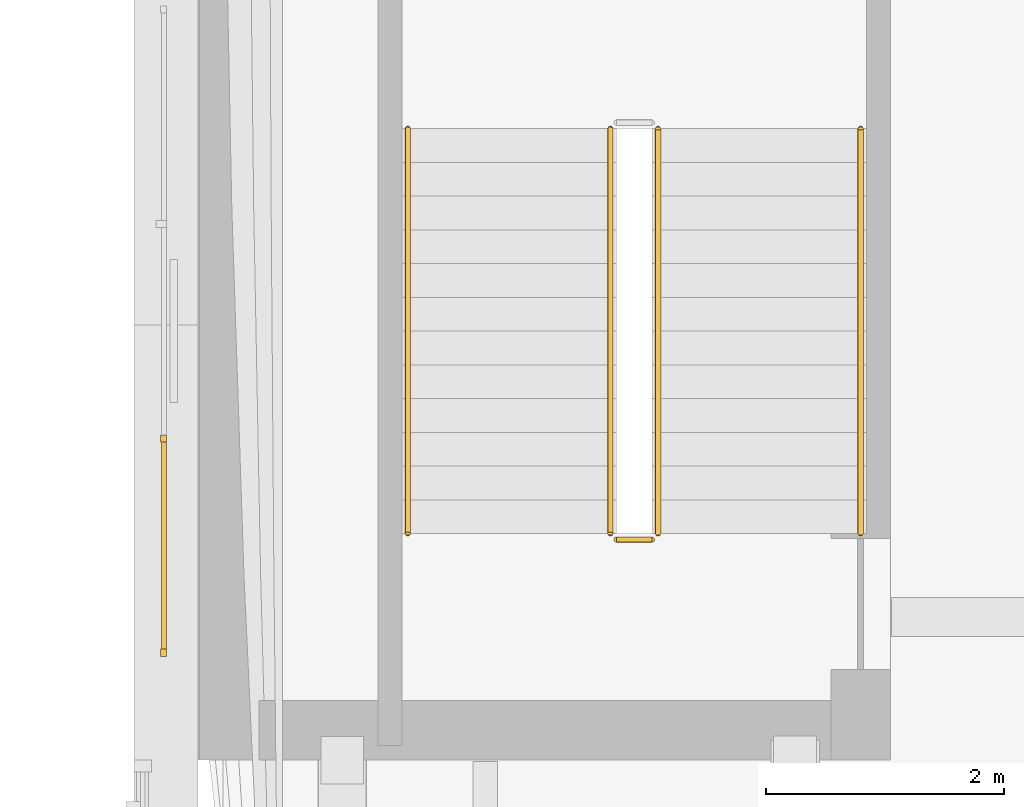
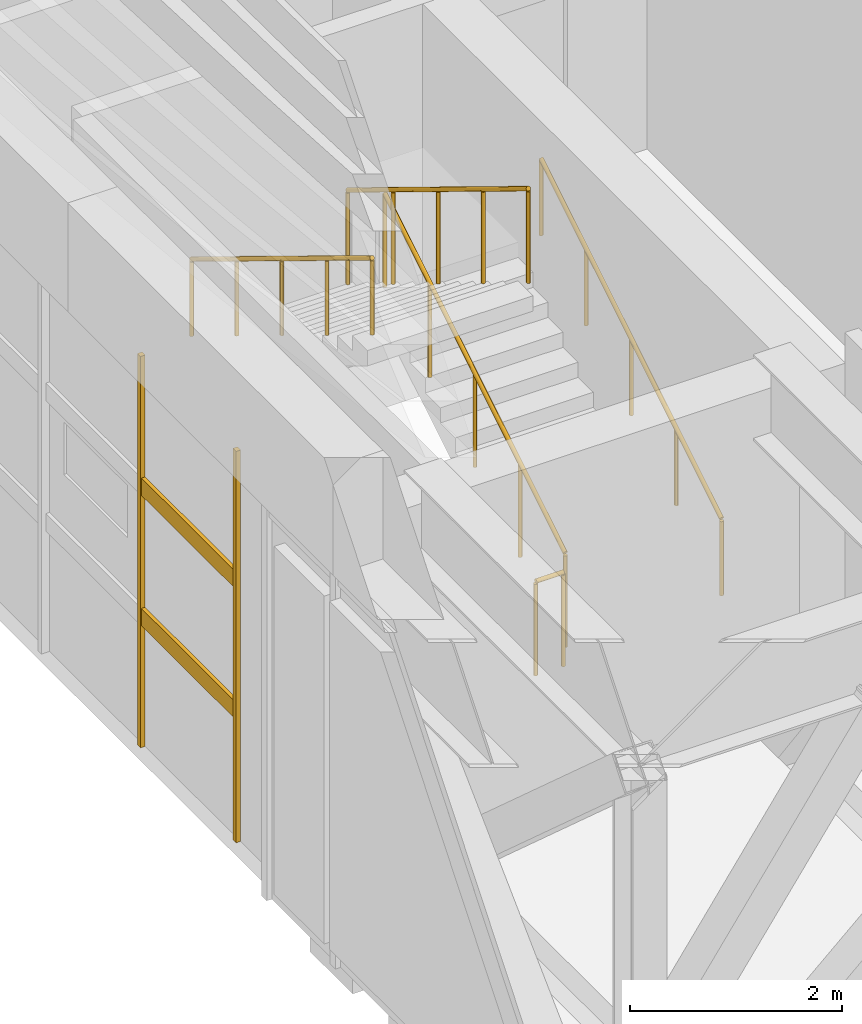
# One storey, part 17 of 29: 5 railings, 4 coverings.
"""IFC4 building model written with IfcOpenShell, lengths in metres."""

import ifcopenshell
import ifcopenshell.guid

model = None  # the IFC model being written
_history = None  # IfcOwnerHistory: only IFC2X3 demands one
_inside = {}  # id of a spatial element -> (the spatial element, [elements in it])
_under = {}  # id of a project, library or spatial element -> (it, [spatial elements below it])
_declared = {}  # id of a project -> (the project, [libraries it declares])
_typed = {}  # id of a type object -> (the type object, [elements of that type])
_made_of = {}  # id of a material, layer set ... -> (it, [elements and type objects made of it])


def new_model(schema):
    """Start an empty IFC model of exactly this schema.

    Asked for "IFC4X3", IfcOpenShell would pick the latest addendum, in which some entities
    have other attributes; the version numbers below select the first issue.
    IFC2X3 requires an IfcOwnerHistory on every rooted entity: one is made here for all.
    """
    global model, _history
    if schema == "IFC4X3":
        model = ifcopenshell.file(schema_version=(4, 3, 0, 0))
    else:
        model = ifcopenshell.file(schema=schema)
    _inside.clear()
    _under.clear()
    _declared.clear()
    _typed.clear()
    _made_of.clear()
    _history = None
    if model.schema == "IFC2X3":
        org = make("IfcOrganization", Name="unknown")
        user = make(
            "IfcPersonAndOrganization",
            ThePerson=make("IfcPerson", FamilyName="unknown"),
            TheOrganization=org,
        )
        app = make(
            "IfcApplication",
            ApplicationDeveloper=org,
            Version="unknown",
            ApplicationFullName="unknown",
            ApplicationIdentifier="unknown",
        )
        _history = make(
            "IfcOwnerHistory",
            OwningUser=user,
            OwningApplication=app,
            ChangeAction="ADDED",
            CreationDate=0,
        )
    return model


def make(cls, **values):
    """One entity of the class cls with the attributes given. An attribute that is None is left unset."""
    return model.create_entity(
        cls, **{name: value for name, value in values.items() if value is not None}
    )


def rooted(cls, **values):
    """An entity with a GlobalId (a new one), such as an element, a storey or a relation."""
    return make(cls, GlobalId=ifcopenshell.guid.new(), OwnerHistory=_history, **values)


def si_unit(unit_type, name, prefix=None):
    """IfcSIUnit, for example si_unit("LENGTHUNIT", "METRE", prefix="MILLI")."""
    return make("IfcSIUnit", UnitType=unit_type, Prefix=prefix, Name=name)


def assignment(units):
    """IfcUnitAssignment: the units of a project."""
    return None if units is None else make("IfcUnitAssignment", Units=units)


def point(xyz):
    """IfcCartesianPoint."""
    return None if xyz is None else make("IfcCartesianPoint", Coordinates=xyz)


def direction(xyz):
    """IfcDirection."""
    return None if xyz is None else make("IfcDirection", DirectionRatios=xyz)


def frame(location, z_axis=None, x_axis=None):
    """IfcAxis2Placement3D, a coordinate frame: its origin and axes. An axis left out is left unset."""
    return make(
        "IfcAxis2Placement3D",
        Location=point(location),
        Axis=direction(z_axis),
        RefDirection=direction(x_axis),
    )


def frame_2d(location, x_axis=None):
    """IfcAxis2Placement2D, a coordinate frame in the plane: its origin and x axis."""
    return make(
        "IfcAxis2Placement2D", Location=point(location), RefDirection=direction(x_axis)
    )


def origin():
    """The frame at (0, 0, 0) with its axes left unset."""
    return frame((0.0, 0.0, 0.0))


def origin_2d():
    """The frame at (0, 0) in the plane with its x axis left unset."""
    return frame_2d((0.0, 0.0))


def place(relative_to, where):
    """IfcLocalPlacement: puts the frame where relative to a parent placement (None: the world)."""
    return make(
        "IfcLocalPlacement", PlacementRelTo=relative_to, RelativePlacement=where
    )


def context(
    kind, dimensions, precision=None, world=None, true_north=None, identifier=None
):
    """IfcGeometricRepresentationContext, for example the 3D "Model" context."""
    return make(
        "IfcGeometricRepresentationContext",
        ContextIdentifier=identifier,
        ContextType=kind,
        CoordinateSpaceDimension=dimensions,
        Precision=precision,
        WorldCoordinateSystem=world,
        TrueNorth=true_north,
    )


def subcontext(parent, identifier, kind, view, scale=None):
    """IfcGeometricRepresentationSubContext, for example "Body" below "Model"."""
    return make(
        "IfcGeometricRepresentationSubContext",
        ContextIdentifier=identifier,
        ContextType=kind,
        ParentContext=parent,
        TargetScale=scale,
        TargetView=view,
    )


def project(units=None, contexts=None):
    """IfcProject with its units and contexts."""
    return rooted(
        "IfcProject",
        Name="project",
        RepresentationContexts=contexts,
        UnitsInContext=assignment(units),
    )


def spatial(cls, under=None, at=None, **own):
    """A site, building, storey or space (cls), placed at a placement, below another one or the project."""
    s = rooted(cls, ObjectPlacement=at, **own)
    if under is not None:
        _under.setdefault(under.id(), (under, []))[1].append(s)
    return s


def profile(cls, at=None, kind="AREA", **sizes):
    """A parametric profile (cls). Its sizes go by their IFC names, for example OverallWidth=200.0."""
    return make(cls, ProfileType=kind, Position=at, **sizes)


def rectangle(**sizes):
    """IfcRectangleProfileDef."""
    return profile("IfcRectangleProfileDef", **sizes)


def circle(**sizes):
    """IfcCircleProfileDef."""
    return profile("IfcCircleProfileDef", **sizes)


def extrude(swept, where, along, depth):
    """IfcExtrudedAreaSolid: the profile swept, set in the frame where, extruded along a direction by depth."""
    return make(
        "IfcExtrudedAreaSolid",
        SweptArea=swept,
        Position=where,
        ExtrudedDirection=direction(along),
        Depth=depth,
    )


def shape(context_of_items, identifier, shape_type, items):
    """IfcShapeRepresentation: the items that make up one representation, for example the "Body"."""
    return make(
        "IfcShapeRepresentation",
        ContextOfItems=context_of_items,
        RepresentationIdentifier=identifier,
        RepresentationType=shape_type,
        Items=items,
    )


def material(Name=None, Category=None):
    """IfcMaterial."""
    return make("IfcMaterial", Name=Name, Category=Category)


def made_of(thing, what):
    """Note that an element or type object is made of a material, layer set ...; save() writes the relation."""
    if what is not None:
        _made_of.setdefault(what.id(), (what, []))[1].append(thing)
    return thing


def type_object(cls, material=None, **own):
    """A type object (cls), such as IfcWallType, which elements share."""
    return made_of(rooted(cls, **own), material)


def element(
    cls,
    number,
    at=None,
    inside=None,
    cuts=None,
    type_object=None,
    material=None,
    context=None,
    identifier="Body",
    shape_type=None,
    held_by="IfcProductDefinitionShape",
    body=None,
    shapes=None,
    **own,
):
    """One element of the class cls, such as IfcWall. Its Tag is "e" and its number.

    at: its placement. inside: the storey or other place that contains it. cuts: it is an
    opening in that element (IfcRelVoidsElement). A single representation is given by context,
    identifier, shape_type and body (its items); several are given by shapes. held_by: the class
    of the entity that holds the representations. save() writes the other relations.
    """
    e = rooted(cls, Tag="e%d" % number, ObjectPlacement=at, **own)
    if body is not None:
        shapes = [shape(context, identifier, shape_type, body)]
    if shapes is not None:
        e.Representation = make(held_by, Representations=shapes)
    if inside is not None:
        _inside.setdefault(inside.id(), (inside, []))[1].append(e)
    if cuts is not None:
        rooted(
            "IfcRelVoidsElement", RelatingBuildingElement=cuts, RelatedOpeningElement=e
        )
    if type_object is not None:
        _typed.setdefault(type_object.id(), (type_object, []))[1].append(e)
    return made_of(e, material)


def aggregate(whole, parts):
    """IfcRelAggregates: a whole, such as a stair, and the parts it consists of."""
    return rooted("IfcRelAggregates", RelatingObject=whole, RelatedObjects=parts)


def save(model, path):
    """Write the relations noted so far, then the file.

    IfcRelAggregates (storeys below a building ...), IfcRelContainedInSpatialStructure (elements
    in a storey), IfcRelDefinesByType, IfcRelAssociatesMaterial and IfcRelDeclares: one each for
    every whole, place, type object, material and project.
    """
    for whole, parts in _under.values():
        aggregate(whole, parts)
    for where, things in _inside.values():
        rooted(
            "IfcRelContainedInSpatialStructure",
            RelatedElements=things,
            RelatingStructure=where,
        )
    for kind, things in _typed.values():
        rooted("IfcRelDefinesByType", RelatedObjects=things, RelatingType=kind)
    for what, things in _made_of.values():
        rooted("IfcRelAssociatesMaterial", RelatedObjects=things, RelatingMaterial=what)
    for by, libraries in _declared.values():
        rooted("IfcRelDeclares", RelatingContext=by, RelatedDefinitions=libraries)
    model.write(path)


model = new_model("IFC4")

# Units and contexts
model_context = context("Model", 3, precision=1e-05, world=origin(), true_north=direction((0.0, 1.0)))
body_context = subcontext(model_context, "Body", "Model", "MODEL_VIEW")
ifc_project = project(units=[si_unit("LENGTHUNIT", "METRE"), si_unit("AREAUNIT", "SQUARE_METRE"), si_unit("VOLUMEUNIT", "CUBIC_METRE"), si_unit("PLANEANGLEUNIT", "RADIAN"), si_unit("MASSUNIT", "GRAM", prefix="KILO")], contexts=[model_context])

# Site, building, storey
site_placement = place(None, origin())
site = spatial("IfcSite", under=ifc_project, at=site_placement, CompositionType="ELEMENT")
building_placement = place(site_placement, origin())
building = spatial("IfcBuilding", under=site, at=building_placement, Name="Cobrizo Arcos Hotel Tower", CompositionType="ELEMENT")
storey_placement = place(building_placement, frame((0.0, 0.0, 186.5)))
storey = spatial("IfcBuildingStorey", under=building, at=storey_placement, Name="L48", CompositionType="ELEMENT", Elevation=186.5)

# Coverings
ifc_material_1 = material(Name="Aluminium 6063-T6 anodised pale", Category="aluminium")
covering_type_1 = type_object("IfcCoveringType", Name="RS-2 rainscreen rib 60x50", PredefinedType="CLADDING", material=ifc_material_1)
for number, where, z_axis, x_axis, name in (
    (1, (-21.89990234375, -8.10009765625, 0.0), (0.0, 0.0, 1.0), (0.0, -1.0, 0.0), "Rainscreen rib 79"),
    (2, (-21.89990234375, -9.89990234375, 0.0), (0.0, 0.0, 1.0), (0.0, -1.0, 0.0), "Rainscreen rib 80"),
):
    element("IfcCovering", number, at=place(storey_placement, frame(where, z_axis=z_axis, x_axis=x_axis)), inside=storey, type_object=covering_type_1, Name=name, PredefinedType="CLADDING", context=body_context, shape_type="SweptSolid", body=[
        extrude(rectangle(XDim=0.06005859375, YDim=0.050048828125, at=origin_2d()), origin(), (0.0, 0.0, 1.0), 4.5),
    ])
covering_type_2 = type_object("IfcCoveringType", Name="RS-3 rainscreen louvre slat 200x40", PredefinedType="CLADDING", material=ifc_material_1)
for number, where, z_axis, x_axis, name in (
    (3, (-21.89501953125, -9.0, 1.39990234375), (0.0, 0.0, 1.0), (0.0, -1.0, 0.0), "Rainscreen slat 7"),
    (4, (-21.89501953125, -9.0, 2.89990234375), (0.0, 0.0, 1.0), (0.0, -1.0, 0.0), "Rainscreen slat 8"),
):
    element("IfcCovering", number, at=place(storey_placement, frame(where, z_axis=z_axis, x_axis=x_axis)), inside=storey, type_object=covering_type_2, Name=name, PredefinedType="CLADDING", context=body_context, shape_type="SweptSolid", body=[
        extrude(rectangle(XDim=1.739990234375, YDim=0.0400390625, at=origin_2d()), origin(), (0.0, 0.0, 1.0), 0.199951171875),
    ])

# Railings
ifc_material_2 = material(Name="Stainless steel railing", Category="steel")
railing_type_1 = type_object("IfcRailingType", Name="Stair guard 1100", PredefinedType="GUARDRAIL", material=ifc_material_2)
railing_1_placement = place(storey_placement, frame((-17.75, -8.89990234375, 0.173095703125)))
element("IfcRailing", 5, at=railing_1_placement, inside=storey, type_object=railing_type_1, Name="L48 ST-W stair guard 1", PredefinedType="GUARDRAIL", context=body_context, shape_type="SweptSolid", body=[
    extrude(circle(Radius=0.02392578125, at=origin_2d()), frame((0.0, 0.0, 1.076171875), z_axis=(0.0, 0.853372706543, 0.52130127923), x_axis=(-1.0, 0.0, 0.0)), (0.0, 0.0, 1.0), 3.984130859375),
    extrude(circle(Radius=0.02099609375, at=origin_2d()), origin(), (0.0, 0.0, 1.0), 1.052001953125),
    extrude(circle(Radius=0.02099609375, at=origin_2d()), frame((0.0, 0.85009765625, 0.519287109375)), (0.0, 0.0, 1.0), 1.052001953125),
    extrude(circle(Radius=0.02099609375, at=origin_2d()), frame((0.0, 1.699951171875, 1.03857421875)), (0.0, 0.0, 1.0), 1.052001953125),
    extrude(circle(Radius=0.02099609375, at=origin_2d()), frame((0.0, 2.5498046875, 1.5576171875)), (0.0, 0.0, 1.0), 1.052001953125),
    extrude(circle(Radius=0.02099609375, at=origin_2d()), frame((0.0, 3.39990234375, 2.076904296875)), (0.0, 0.0, 1.0), 1.052001953125),
])
railing_2_placement = place(storey_placement, frame((-18.14990234375, -5.5, 2.423095703125)))
element("IfcRailing", 6, at=railing_2_placement, inside=storey, type_object=railing_type_1, Name="L48 ST-W stair guard 3", PredefinedType="GUARDRAIL", context=body_context, shape_type="SweptSolid", body=[
    extrude(circle(Radius=0.02392578125, at=origin_2d()), frame((0.0, 0.0, 1.076171875), z_axis=(0.0, -0.853372706543, 0.52130127923), x_axis=(1.0, 0.0, 0.0)), (0.0, 0.0, 1.0), 3.984130859375),
    extrude(circle(Radius=0.02099609375, at=origin_2d()), origin(), (0.0, 0.0, 1.0), 1.052001953125),
    extrude(circle(Radius=0.02099609375, at=origin_2d()), frame((0.0, -0.85009765625, 0.519287109375)), (0.0, 0.0, 1.0), 1.052001953125),
    extrude(circle(Radius=0.02099609375, at=origin_2d()), frame((0.0, -1.699951171875, 1.03857421875)), (0.0, 0.0, 1.0), 1.052001953125),
    extrude(circle(Radius=0.02099609375, at=origin_2d()), frame((0.0, -2.5498046875, 1.5576171875)), (0.0, 0.0, 1.0), 1.052001953125),
    extrude(circle(Radius=0.02099609375, at=origin_2d()), frame((0.0, -3.39990234375, 2.076904296875)), (0.0, 0.0, 1.0), 1.052001953125),
])
railing_3_placement = place(storey_placement, frame((-17.800048828125, -8.949951171875, 0.0)))
element("IfcRailing", 7, at=railing_3_placement, inside=storey, type_object=railing_type_1, Name="L48 ST-W stair guard 4", PredefinedType="GUARDRAIL", context=body_context, shape_type="SweptSolid", body=[
    extrude(circle(Radius=0.02392578125, at=origin_2d()), frame((0.0, 0.0, 1.076171875), z_axis=(-1.0, 0.0, 0.0), x_axis=(0.0, -1.0, 0.0)), (0.0, 0.0, 1.0), 0.300048828125),
    extrude(circle(Radius=0.02099609375, at=origin_2d()), origin(), (0.0, 0.0, 1.0), 1.052001953125),
    extrude(circle(Radius=0.02099609375, at=origin_2d()), frame((-0.300048828125, 0.0, 0.0)), (0.0, 0.0, 1.0), 1.052001953125),
])
railing_type_2 = type_object("IfcRailingType", Name="Stair handrail", PredefinedType="HANDRAIL", material=ifc_material_2)
railing_4_placement = place(storey_placement, frame((-16.050048828125, -8.89990234375, 0.173095703125)))
element("IfcRailing", 8, at=railing_4_placement, inside=storey, type_object=railing_type_2, Name="L48 ST-W stair handrail 1", PredefinedType="HANDRAIL", context=body_context, shape_type="SweptSolid", body=[
    extrude(circle(Radius=0.02392578125, at=origin_2d()), frame((0.0, 0.0, 0.8759765625), z_axis=(0.0, 0.853372706543, 0.52130127923), x_axis=(-1.0, 0.0, 0.0)), (0.0, 0.0, 1.0), 3.984130859375),
    extrude(circle(Radius=0.02099609375, at=origin_2d()), origin(), (0.0, 0.0, 1.0), 0.851806640625),
    extrude(circle(Radius=0.02099609375, at=origin_2d()), frame((0.0, 0.85009765625, 0.519287109375)), (0.0, 0.0, 1.0), 0.851806640625),
    extrude(circle(Radius=0.02099609375, at=origin_2d()), frame((0.0, 1.699951171875, 1.03857421875)), (0.0, 0.0, 1.0), 0.851806640625),
    extrude(circle(Radius=0.02099609375, at=origin_2d()), frame((0.0, 2.5498046875, 1.5576171875)), (0.0, 0.0, 1.0), 0.851806640625),
    extrude(circle(Radius=0.02099609375, at=origin_2d()), frame((0.0, 3.39990234375, 2.076904296875)), (0.0, 0.0, 1.0), 0.851806640625),
])
railing_5_placement = place(storey_placement, frame((-19.85009765625, -5.5, 2.423095703125)))
element("IfcRailing", 9, at=railing_5_placement, inside=storey, type_object=railing_type_2, Name="L48 ST-W stair handrail 2", PredefinedType="HANDRAIL", context=body_context, shape_type="SweptSolid", body=[
    extrude(circle(Radius=0.02392578125, at=origin_2d()), frame((0.0, 0.0, 0.8759765625), z_axis=(0.0, -0.853372706543, 0.52130127923), x_axis=(1.0, 0.0, 0.0)), (0.0, 0.0, 1.0), 3.984130859375),
    extrude(circle(Radius=0.02099609375, at=origin_2d()), origin(), (0.0, 0.0, 1.0), 0.851806640625),
    extrude(circle(Radius=0.02099609375, at=origin_2d()), frame((0.0, -0.85009765625, 0.519287109375)), (0.0, 0.0, 1.0), 0.851806640625),
    extrude(circle(Radius=0.02099609375, at=origin_2d()), frame((0.0, -1.699951171875, 1.03857421875)), (0.0, 0.0, 1.0), 0.851806640625),
    extrude(circle(Radius=0.02099609375, at=origin_2d()), frame((0.0, -2.5498046875, 1.5576171875)), (0.0, 0.0, 1.0), 0.851806640625),
    extrude(circle(Radius=0.02099609375, at=origin_2d()), frame((0.0, -3.39990234375, 2.076904296875)), (0.0, 0.0, 1.0), 0.851806640625),
])

save(model, "model.ifc")
